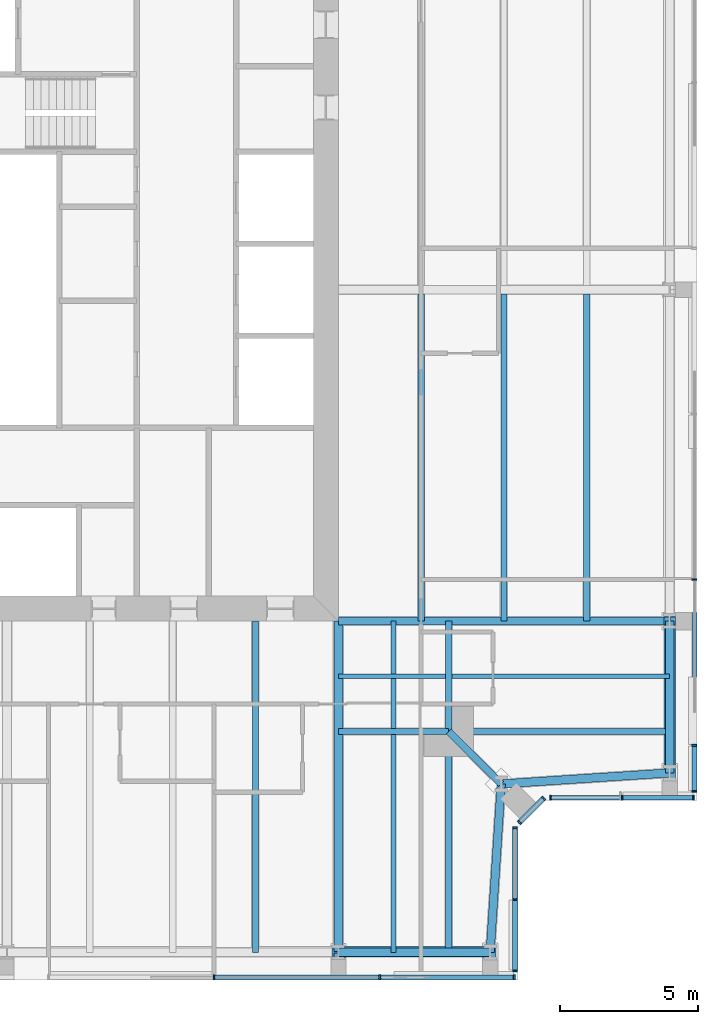
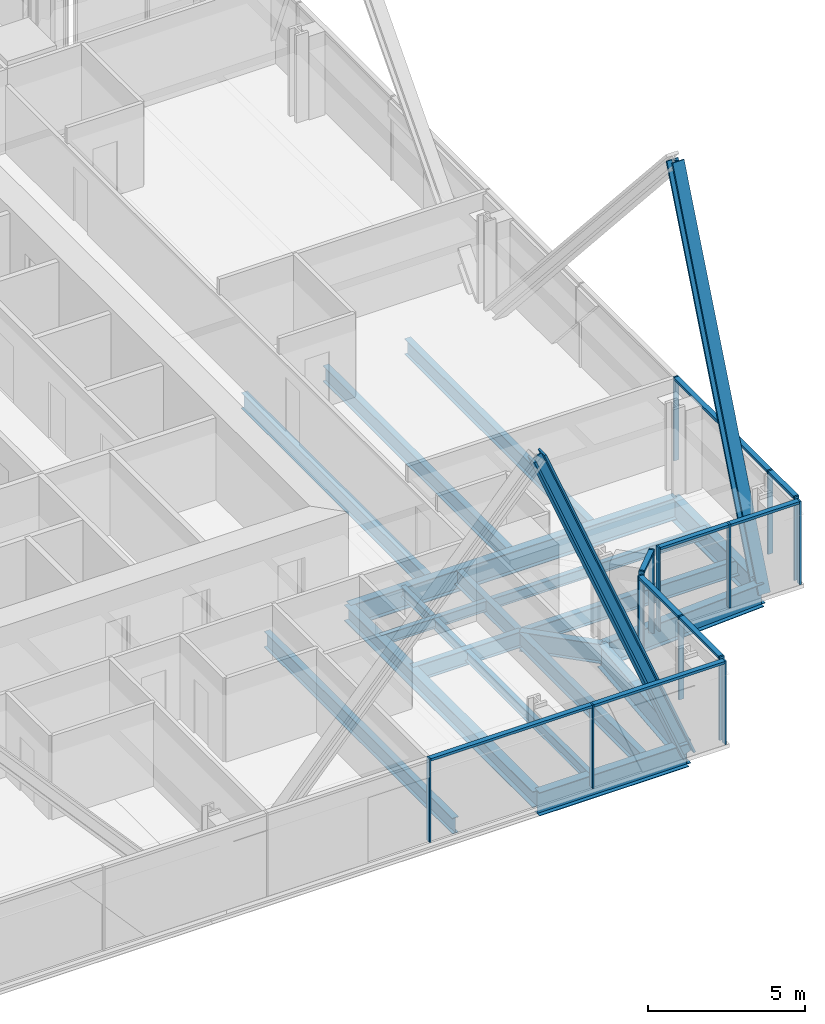
# One storey, part 5 of 19: 25 members, 20 beams, 5 elements without a shape of their own.
"""IFC4 building model written with IfcOpenShell, lengths in metres."""

from ifc_helpers import new_model, si_unit, direction, frame, origin, origin_2d, place, context, subcontext, project, spatial, rectangle, i_section, extrude, material, material_profile, profile_set, type_object, element, aggregate, save


model = new_model("IFC4")

# Units and contexts
model_context = context("Model", 3, precision=1e-05, world=origin(), true_north=direction((0.0, 1.0)))
body_context = subcontext(model_context, "Body", "Model", "MODEL_VIEW")
ifc_project = project(units=[si_unit("LENGTHUNIT", "METRE"), si_unit("AREAUNIT", "SQUARE_METRE"), si_unit("VOLUMEUNIT", "CUBIC_METRE"), si_unit("PLANEANGLEUNIT", "RADIAN"), si_unit("MASSUNIT", "GRAM", prefix="KILO")], contexts=[model_context])

# Site, building, storey
site_placement = place(None, origin())
site = spatial("IfcSite", under=ifc_project, at=site_placement, CompositionType="ELEMENT")
building_placement = place(site_placement, origin())
building = spatial("IfcBuilding", under=site, at=building_placement, Name="Fenwick Lantern Interchange", CompositionType="ELEMENT")
storey_placement = place(building_placement, frame((0.0, 0.0, 283.199951171875)))
storey = spatial("IfcBuildingStorey", under=building, at=storey_placement, Name="L68", CompositionType="ELEMENT", Elevation=283.199951171875)

# Beams
ifc_material_1 = material(Name="Steel ASTM A992 Grade 50", Category="steel")
ifc_material_profile_1 = material_profile(ifc_material_1, i_section(OverallWidth=0.3046875, OverallDepth=0.911865234375, WebThickness=0.015869140625, FlangeThickness=0.02392578125, at=origin_2d()), Name="W36X150")
ifc_profile_set_1 = profile_set([ifc_material_profile_1], Name="Steel ASTM A992 Grade 50")
beam_type_1 = type_object("IfcBeamType", Name="EDGE BEAM W36X150", PredefinedType="SPANDREL", material=ifc_profile_set_1)
beam_1_placement = place(storey_placement, frame((37.0, 1.0, -0.60595703125), z_axis=(1.0, 0.0, 0.0), x_axis=(0.0, 1.0, 0.0)))
element("IfcBeam", 1, at=beam_1_placement, inside=storey, type_object=beam_type_1, Name="L68/FR/S/EB4", PredefinedType="SPANDREL", context=body_context, shape_type="SweptSolid", body=[
    extrude(i_section(OverallWidth=0.3046875, OverallDepth=0.911865234375, WebThickness=0.015869140625, FlangeThickness=0.02392578125, at=origin_2d()), origin(), (0.0, 0.0, 1.0), 5.5),
])
for number, where, z_axis, x_axis, name in (
    (2, (42.5, 1.0, -0.60595703125), (0.065416293237, 0.997858060337, 0.0), (-0.997858060337, 0.065416293237, 0.0), "L68/FR/S/EBR1"),
    (3, (42.89990234375, 7.10009765625, -0.60595703125), (0.997858060337, 0.065416293237, 0.0), (-0.065416293237, 0.997858060337, 0.0), "L68/FR/S/EBR2"),
):
    element("IfcBeam", number, at=place(storey_placement, frame(where, z_axis=z_axis, x_axis=x_axis)), inside=storey, type_object=beam_type_1, Name=name, PredefinedType="SPANDREL", context=body_context, shape_type="SweptSolid", body=[
        extrude(i_section(OverallWidth=0.3046875, OverallDepth=0.911865234375, WebThickness=0.015869140625, FlangeThickness=0.02392578125, at=origin_2d()), origin(), (0.0, 0.0, 1.0), 6.11328125),
    ])
beam_2_placement = place(storey_placement, frame((49.0, 7.5, -0.60595703125), z_axis=(0.0, 1.0, 0.0), x_axis=(-1.0, 0.0, 0.0)))
element("IfcBeam", 4, at=beam_2_placement, inside=storey, type_object=beam_type_1, Name="L68/FR/E/EB1", PredefinedType="SPANDREL", context=body_context, shape_type="SweptSolid", body=[
    extrude(i_section(OverallWidth=0.3046875, OverallDepth=0.911865234375, WebThickness=0.015869140625, FlangeThickness=0.02392578125, at=origin_2d()), origin(), (0.0, 0.0, 1.0), 5.5),
])

# Members
ifc_material_profile_2 = material_profile(ifc_material_1, i_section(OverallWidth=0.424072265625, OverallDepth=0.47509765625, WebThickness=0.0478515625, FlangeThickness=0.0771484375, at=origin_2d()), Name="W14X426")
ifc_profile_set_2 = profile_set([ifc_material_profile_2], Name="Steel ASTM A992 Grade 50")
member_type_1 = type_object("IfcMemberType", Name="FACADE BRACE W14X426", PredefinedType="BRACE", material=ifc_profile_set_2)
for number, where, z_axis, x_axis, name in (
    (5, (42.5, 1.0, -0.60595703125), (-0.377648302155, 0.0, 0.925949113008), (0.0, -1.0, 0.0), "L68/FB/S/BE"),
    (6, (49.0, 7.5, -0.60595703125), (0.0, 0.377648302155, 0.925949113008), (-1.0, 0.0, 0.0), "L68/FB/E/AE"),
):
    element("IfcMember", number, at=place(storey_placement, frame(where, z_axis=z_axis, x_axis=x_axis)), inside=storey, type_object=member_type_1, Name=name, PredefinedType="BRACE", context=body_context, shape_type="SweptSolid", body=[
        extrude(i_section(OverallWidth=0.424072265625, OverallDepth=0.47509765625, WebThickness=0.0478515625, FlangeThickness=0.0771484375, at=origin_2d()), origin(), (0.0, 0.0, 1.0), 14.563720703125),
    ])

# Beams
ifc_material_profile_3 = material_profile(ifc_material_1, i_section(OverallWidth=0.22900390625, OverallDepth=0.612060546875, WebThickness=0.011962890625, FlangeThickness=0.01953125, at=origin_2d()), Name="W24X84")
ifc_profile_set_3 = profile_set([ifc_material_profile_3], Name="Steel ASTM A992 Grade 50")
beam_type_2 = type_object("IfcBeamType", Name="FLOOR BEAM W24X84", PredefinedType="BEAM", material=ifc_profile_set_3)
beam_3_placement = place(storey_placement, frame((34.0, 1.0, -0.4560546875), z_axis=(0.0, 1.0, 0.0), x_axis=(-1.0, 0.0, 0.0)))
element("IfcBeam", 7, at=beam_3_placement, inside=storey, type_object=beam_type_2, Name="L68/FR/S/R08", PredefinedType="BEAM", context=body_context, shape_type="SweptSolid", body=[
    extrude(i_section(OverallWidth=0.22900390625, OverallDepth=0.612060546875, WebThickness=0.011962890625, FlangeThickness=0.01953125, at=origin_2d()), origin(), (0.0, 0.0, 1.0), 12.0),
])
for number, where, z_axis, x_axis, name in (
    (8, (46.0, 13.0, -0.4560546875), (0.0, 1.0, 0.0), (-1.0, 0.0, 0.0), "L68/FR/E/B01"),
    (9, (43.0, 13.0, -0.4560546875), (0.0, 1.0, 0.0), (-1.0, 0.0, 0.0), "L68/FR/E/B02"),
    (10, (40.0, 13.0, -0.4560546875), (0.0, 1.0, 0.0), (-1.0, 0.0, 0.0), "L68/FR/E/B03"),
):
    element("IfcBeam", number, at=place(storey_placement, frame(where, z_axis=z_axis, x_axis=x_axis)), inside=storey, type_object=beam_type_2, Name=name, PredefinedType="BEAM", context=body_context, shape_type="SweptSolid", body=[
        extrude(i_section(OverallWidth=0.22900390625, OverallDepth=0.612060546875, WebThickness=0.011962890625, FlangeThickness=0.01953125, at=origin_2d()), origin(), (0.0, 0.0, 1.0), 11.844970703125),
    ])

# Curtain wall, members
ifc_material_2 = material(Name="Aluminium curtain wall frame", Category="aluminium")
curtain_wall_type = type_object("IfcCurtainWallType", Name="HOTEL CURTAIN WALL", PredefinedType="USERDEFINED", material=ifc_material_2)
curtain_wall_1_placement = place(storey_placement, origin())
curtain_wall_1 = element("IfcCurtainWall", 11, at=curtain_wall_1_placement, inside=storey, type_object=curtain_wall_type, Name="Hotel curtain wall 01", ObjectType="HOTEL CURTAIN WALL", PredefinedType="USERDEFINED")
ifc_material_3 = material(Name="Aluminium extrusion", Category="aluminium")
ifc_material_profile_4 = material_profile(ifc_material_3, rectangle(XDim=0.179931640625, YDim=0.06005859375, at=origin_2d()), Name="HOTEL CURTAIN WALL MULLION 60 X 180")
ifc_profile_set_4 = profile_set([ifc_material_profile_4], Name="Aluminium extrusion")
member_type_2 = type_object("IfcMemberType", Name="HOTEL CURTAIN WALL MULLION 60 X 180", PredefinedType="MULLION", material=ifc_profile_set_4)
member_1_placement = place(storey_placement, frame((32.5, 0.10009765625, 0.0), z_axis=(0.0, 0.0, 1.0), x_axis=(0.0, 1.0, 0.0)))
member_1 = element("IfcMember", 12, at=member_1_placement, type_object=member_type_2, Name="L68/CW/01/M05", PredefinedType="MULLION", context=body_context, shape_type="SweptSolid", body=[
    extrude(rectangle(XDim=0.179931640625, YDim=0.06005859375, at=origin_2d()), origin(), (0.0, 0.0, 1.0), 3.25),
])
member_2_placement = place(storey_placement, frame((38.5, 0.10009765625, 0.0), z_axis=(0.0, 0.0, 1.0), x_axis=(0.0, 1.0, 0.0)))
member_2 = element("IfcMember", 13, at=member_2_placement, type_object=member_type_2, Name="L68/CW/01/M06", PredefinedType="MULLION", context=body_context, shape_type="SweptSolid", body=[
    extrude(rectangle(XDim=0.179931640625, YDim=0.06005859375, at=origin_2d()), origin(), (0.0, 0.0, 1.0), 3.25),
])
member_3_placement = place(storey_placement, frame((43.3701171875, 0.10009765625, 0.0), z_axis=(0.0, 0.0, 1.0), x_axis=(0.0, 1.0, 0.0)))
member_3 = element("IfcMember", 14, at=member_3_placement, type_object=member_type_2, Name="L68/CW/01/M07", PredefinedType="MULLION", context=body_context, shape_type="SweptSolid", body=[
    extrude(rectangle(XDim=0.179931640625, YDim=0.06005859375, at=origin_2d()), origin(), (0.0, 0.0, 1.0), 3.25),
])

curtain_wall_2_placement = place(storey_placement, origin())
curtain_wall_2 = element("IfcCurtainWall", 15, at=curtain_wall_2_placement, inside=storey, type_object=curtain_wall_type, Name="Hotel curtain wall 02", ObjectType="HOTEL CURTAIN WALL", PredefinedType="USERDEFINED")
member_4_placement = place(storey_placement, frame((43.39990234375, 0.330078125, 0.0), z_axis=(0.0, 0.0, 1.0), x_axis=(-1.0, 0.0, 0.0)))
member_4 = element("IfcMember", 16, at=member_4_placement, type_object=member_type_2, Name="L68/CW/02/M00", PredefinedType="MULLION", context=body_context, shape_type="SweptSolid", body=[
    extrude(rectangle(XDim=0.179931640625, YDim=0.06005859375, at=origin_2d()), origin(), (0.0, 0.0, 1.0), 3.25),
])
member_5_placement = place(storey_placement, frame((43.39990234375, 2.920654296875, 0.0), z_axis=(0.0, 0.0, 1.0), x_axis=(-1.0, 0.0, 0.0)))
member_5 = element("IfcMember", 17, at=member_5_placement, type_object=member_type_2, Name="L68/CW/02/M01", PredefinedType="MULLION", context=body_context, shape_type="SweptSolid", body=[
    extrude(rectangle(XDim=0.179931640625, YDim=0.06005859375, at=origin_2d()), origin(), (0.0, 0.0, 1.0), 3.25),
])
member_6_placement = place(storey_placement, frame((43.39990234375, 5.511474609375, 0.0), z_axis=(0.0, 0.0, 1.0), x_axis=(-1.0, 0.0, 0.0)))
member_6 = element("IfcMember", 18, at=member_6_placement, type_object=member_type_2, Name="L68/CW/02/M02", PredefinedType="MULLION", context=body_context, shape_type="SweptSolid", body=[
    extrude(rectangle(XDim=0.179931640625, YDim=0.06005859375, at=origin_2d()), origin(), (0.0, 0.0, 1.0), 3.25),
])

curtain_wall_3_placement = place(storey_placement, origin())
curtain_wall_3 = element("IfcCurtainWall", 19, at=curtain_wall_3_placement, inside=storey, type_object=curtain_wall_type, Name="Hotel curtain wall 03", ObjectType="HOTEL CURTAIN WALL", PredefinedType="USERDEFINED")
member_7_placement = place(storey_placement, frame((43.562744140625, 5.7041015625, 0.0), z_axis=(0.0, 0.0, 1.0), x_axis=(-0.707106781187, 0.707106781187, 0.0)))
member_7 = element("IfcMember", 20, at=member_7_placement, type_object=member_type_2, Name="L68/CW/03/M00", PredefinedType="MULLION", context=body_context, shape_type="SweptSolid", body=[
    extrude(rectangle(XDim=0.179931640625, YDim=0.06005859375, at=origin_2d()), origin(), (0.0, 0.0, 1.0), 3.25),
])
member_8_placement = place(storey_placement, frame((44.437255859375, 6.578857421875, 0.0), z_axis=(0.0, 0.0, 1.0), x_axis=(-0.707106781187, 0.707106781187, 0.0)))
member_8 = element("IfcMember", 21, at=member_8_placement, type_object=member_type_2, Name="L68/CW/03/M01", PredefinedType="MULLION", context=body_context, shape_type="SweptSolid", body=[
    extrude(rectangle(XDim=0.179931640625, YDim=0.06005859375, at=origin_2d()), origin(), (0.0, 0.0, 1.0), 3.25),
])

curtain_wall_4_placement = place(storey_placement, origin())
curtain_wall_4 = element("IfcCurtainWall", 22, at=curtain_wall_4_placement, inside=storey, type_object=curtain_wall_type, Name="Hotel curtain wall 04", ObjectType="HOTEL CURTAIN WALL", PredefinedType="USERDEFINED")
member_9_placement = place(storey_placement, frame((44.6884765625, 6.60009765625, 0.0), z_axis=(0.0, 0.0, 1.0), x_axis=(0.0, 1.0, 0.0)))
member_9 = element("IfcMember", 23, at=member_9_placement, type_object=member_type_2, Name="L68/CW/04/M00", PredefinedType="MULLION", context=body_context, shape_type="SweptSolid", body=[
    extrude(rectangle(XDim=0.179931640625, YDim=0.06005859375, at=origin_2d()), origin(), (0.0, 0.0, 1.0), 3.25),
])
member_10_placement = place(storey_placement, frame((47.279296875, 6.60009765625, 0.0), z_axis=(0.0, 0.0, 1.0), x_axis=(0.0, 1.0, 0.0)))
member_10 = element("IfcMember", 24, at=member_10_placement, type_object=member_type_2, Name="L68/CW/04/M01", PredefinedType="MULLION", context=body_context, shape_type="SweptSolid", body=[
    extrude(rectangle(XDim=0.179931640625, YDim=0.06005859375, at=origin_2d()), origin(), (0.0, 0.0, 1.0), 3.25),
])
member_11_placement = place(storey_placement, frame((49.8701171875, 6.60009765625, 0.0), z_axis=(0.0, 0.0, 1.0), x_axis=(0.0, 1.0, 0.0)))
member_11 = element("IfcMember", 25, at=member_11_placement, type_object=member_type_2, Name="L68/CW/04/M02", PredefinedType="MULLION", context=body_context, shape_type="SweptSolid", body=[
    extrude(rectangle(XDim=0.179931640625, YDim=0.06005859375, at=origin_2d()), origin(), (0.0, 0.0, 1.0), 3.25),
])

curtain_wall_5_placement = place(storey_placement, origin())
curtain_wall_5 = element("IfcCurtainWall", 26, at=curtain_wall_5_placement, inside=storey, type_object=curtain_wall_type, Name="Hotel curtain wall 05", ObjectType="HOTEL CURTAIN WALL", PredefinedType="USERDEFINED")
member_12_placement = place(storey_placement, frame((49.89990234375, 6.830078125, 0.0), z_axis=(0.0, 0.0, 1.0), x_axis=(-1.0, 0.0, 0.0)))
member_12 = element("IfcMember", 27, at=member_12_placement, type_object=member_type_2, Name="L68/CW/05/M00", PredefinedType="MULLION", context=body_context, shape_type="SweptSolid", body=[
    extrude(rectangle(XDim=0.179931640625, YDim=0.06005859375, at=origin_2d()), origin(), (0.0, 0.0, 1.0), 3.25),
])
member_13_placement = place(storey_placement, frame((49.89990234375, 8.5, 0.0), z_axis=(0.0, 0.0, 1.0), x_axis=(-1.0, 0.0, 0.0)))
member_13 = element("IfcMember", 28, at=member_13_placement, type_object=member_type_2, Name="L68/CW/05/M01", PredefinedType="MULLION", context=body_context, shape_type="SweptSolid", body=[
    extrude(rectangle(XDim=0.179931640625, YDim=0.06005859375, at=origin_2d()), origin(), (0.0, 0.0, 1.0), 3.25),
])
member_14_placement = place(storey_placement, frame((49.89990234375, 14.5, 0.0), z_axis=(0.0, 0.0, 1.0), x_axis=(-1.0, 0.0, 0.0)))
member_14 = element("IfcMember", 29, at=member_14_placement, type_object=member_type_2, Name="L68/CW/05/M02", PredefinedType="MULLION", context=body_context, shape_type="SweptSolid", body=[
    extrude(rectangle(XDim=0.179931640625, YDim=0.06005859375, at=origin_2d()), origin(), (0.0, 0.0, 1.0), 3.25),
])

# Member
ifc_material_profile_5 = material_profile(ifc_material_3, rectangle(XDim=0.179931640625, YDim=0.10009765625, at=origin_2d()), Name="HOTEL CURTAIN WALL TRANSOM 100 X 180")
ifc_profile_set_5 = profile_set([ifc_material_profile_5], Name="Aluminium extrusion")
member_type_3 = type_object("IfcMemberType", Name="HOTEL CURTAIN WALL TRANSOM 100 X 180", PredefinedType="MULLION", material=ifc_profile_set_5)
member_15_placement = place(storey_placement, frame((32.530029296875, 0.10009765625, 3.199951171875), z_axis=(1.0, 0.0, 0.0), x_axis=(0.0, 1.0, 0.0)))
member_15 = element("IfcMember", 30, at=member_15_placement, type_object=member_type_3, Name="L68/CW/01/T05", PredefinedType="MULLION", context=body_context, shape_type="SweptSolid", body=[
    extrude(rectangle(XDim=0.179931640625, YDim=0.10009765625, at=origin_2d()), origin(), (0.0, 0.0, 1.0), 5.93994140625),
])

member_16_placement = place(storey_placement, frame((38.530029296875, 0.10009765625, 3.199951171875), z_axis=(1.0, 0.0, 0.0), x_axis=(0.0, 1.0, 0.0)))
member_16 = element("IfcMember", 31, at=member_16_placement, type_object=member_type_3, Name="L68/CW/01/T06", PredefinedType="MULLION", context=body_context, shape_type="SweptSolid", body=[
    extrude(rectangle(XDim=0.179931640625, YDim=0.10009765625, at=origin_2d()), origin(), (0.0, 0.0, 1.0), 4.81005859375),
])

aggregate(curtain_wall_1, [member_1, member_2, member_3, member_15, member_16])

member_17_placement = place(storey_placement, frame((43.39990234375, 0.360107421875, 3.199951171875), z_axis=(0.0, 1.0, 0.0), x_axis=(-1.0, 0.0, 0.0)))
member_17 = element("IfcMember", 32, at=member_17_placement, type_object=member_type_3, Name="L68/CW/02/T00", PredefinedType="MULLION", context=body_context, shape_type="SweptSolid", body=[
    extrude(rectangle(XDim=0.179931640625, YDim=0.10009765625, at=origin_2d()), origin(), (0.0, 0.0, 1.0), 2.530517578125),
])

member_18_placement = place(storey_placement, frame((43.39990234375, 2.95068359375, 3.199951171875), z_axis=(0.0, 1.0, 0.0), x_axis=(-1.0, 0.0, 0.0)))
member_18 = element("IfcMember", 33, at=member_18_placement, type_object=member_type_3, Name="L68/CW/02/T01", PredefinedType="MULLION", context=body_context, shape_type="SweptSolid", body=[
    extrude(rectangle(XDim=0.179931640625, YDim=0.10009765625, at=origin_2d()), origin(), (0.0, 0.0, 1.0), 2.53076171875),
])

aggregate(curtain_wall_2, [member_4, member_5, member_6, member_17, member_18])

member_19_placement = place(storey_placement, frame((43.583740234375, 5.725341796875, 3.199951171875), z_axis=(0.707210470133, 0.707003077033, 0.0), x_axis=(-0.707003077033, 0.707210470133, 0.0)))
member_19 = element("IfcMember", 34, at=member_19_placement, type_object=member_type_3, Name="L68/CW/03/T00", PredefinedType="MULLION", context=body_context, shape_type="SweptSolid", body=[
    extrude(rectangle(XDim=0.179931640625, YDim=0.10009765625, at=origin_2d()), origin(), (0.0, 0.0, 1.0), 1.17724609375),
])

aggregate(curtain_wall_3, [member_7, member_8, member_19])

member_20_placement = place(storey_placement, frame((44.718505859375, 6.60009765625, 3.199951171875), z_axis=(1.0, 0.0, 0.0), x_axis=(0.0, 1.0, 0.0)))
member_20 = element("IfcMember", 35, at=member_20_placement, type_object=member_type_3, Name="L68/CW/04/T00", PredefinedType="MULLION", context=body_context, shape_type="SweptSolid", body=[
    extrude(rectangle(XDim=0.179931640625, YDim=0.10009765625, at=origin_2d()), origin(), (0.0, 0.0, 1.0), 2.53076171875),
])

member_21_placement = place(storey_placement, frame((47.309326171875, 6.60009765625, 3.199951171875), z_axis=(1.0, 0.0, 0.0), x_axis=(0.0, 1.0, 0.0)))
member_21 = element("IfcMember", 36, at=member_21_placement, type_object=member_type_3, Name="L68/CW/04/T01", PredefinedType="MULLION", context=body_context, shape_type="SweptSolid", body=[
    extrude(rectangle(XDim=0.179931640625, YDim=0.10009765625, at=origin_2d()), origin(), (0.0, 0.0, 1.0), 2.53076171875),
])

aggregate(curtain_wall_4, [member_9, member_10, member_11, member_20, member_21])

member_22_placement = place(storey_placement, frame((49.89990234375, 6.860107421875, 3.199951171875), z_axis=(0.0, 1.0, 0.0), x_axis=(-1.0, 0.0, 0.0)))
member_22 = element("IfcMember", 37, at=member_22_placement, type_object=member_type_3, Name="L68/CW/05/T00", PredefinedType="MULLION", context=body_context, shape_type="SweptSolid", body=[
    extrude(rectangle(XDim=0.179931640625, YDim=0.10009765625, at=origin_2d()), origin(), (0.0, 0.0, 1.0), 1.60986328125),
])

member_23_placement = place(storey_placement, frame((49.89990234375, 8.530029296875, 3.199951171875), z_axis=(0.0, 1.0, 0.0), x_axis=(-1.0, 0.0, 0.0)))
member_23 = element("IfcMember", 38, at=member_23_placement, type_object=member_type_3, Name="L68/CW/05/T01", PredefinedType="MULLION", context=body_context, shape_type="SweptSolid", body=[
    extrude(rectangle(XDim=0.179931640625, YDim=0.10009765625, at=origin_2d()), origin(), (0.0, 0.0, 1.0), 5.93994140625),
])

aggregate(curtain_wall_5, [member_12, member_13, member_14, member_22, member_23])

# Beams
ifc_material_profile_6 = material_profile(ifc_material_1, i_section(OverallWidth=0.177734375, OverallDepth=0.406494140625, WebThickness=0.0078125, FlangeThickness=0.012939453125, at=origin_2d()), Name="W16X40")
ifc_profile_set_6 = profile_set([ifc_material_profile_6], Name="Steel ASTM A992 Grade 50")
beam_type_3 = type_object("IfcBeamType", Name="INFILL BEAM W16X40", PredefinedType="JOIST", material=ifc_profile_set_6)
beam_4_placement = place(storey_placement, frame((49.0, 11.0, -0.353271484375), z_axis=(-1.0, 0.0, 0.0), x_axis=(0.0, -1.0, 0.0)))
element("IfcBeam", 39, at=beam_4_placement, inside=storey, type_object=beam_type_3, Name="L68/FR/E/J1", PredefinedType="JOIST", context=body_context, shape_type="SweptSolid", body=[
    extrude(i_section(OverallWidth=0.177734375, OverallDepth=0.406494140625, WebThickness=0.0078125, FlangeThickness=0.012939453125, at=origin_2d()), origin(), (0.0, 0.0, 1.0), 7.885498046875),
])
beam_5_placement = place(storey_placement, frame((40.885498046875, 11.0, -0.353271484375), z_axis=(-1.0, 0.0, 0.0), x_axis=(0.0, -1.0, 0.0)))
element("IfcBeam", 40, at=beam_5_placement, inside=storey, type_object=beam_type_3, Name="L68/FR/E/J2", PredefinedType="JOIST", context=body_context, shape_type="SweptSolid", body=[
    extrude(i_section(OverallWidth=0.177734375, OverallDepth=0.406494140625, WebThickness=0.0078125, FlangeThickness=0.012939453125, at=origin_2d()), origin(), (0.0, 0.0, 1.0), 3.885498046875),
])
beam_6_placement = place(storey_placement, frame((39.0, 1.0, -0.353271484375), z_axis=(0.0, 1.0, 0.0), x_axis=(-1.0, 0.0, 0.0)))
element("IfcBeam", 41, at=beam_6_placement, inside=storey, type_object=beam_type_3, Name="L68/FR/E/J3", PredefinedType="JOIST", context=body_context, shape_type="SweptSolid", body=[
    extrude(i_section(OverallWidth=0.177734375, OverallDepth=0.406494140625, WebThickness=0.0078125, FlangeThickness=0.012939453125, at=origin_2d()), origin(), (0.0, 0.0, 1.0), 7.885498046875),
])
beam_7_placement = place(storey_placement, frame((39.0, 9.114501953125, -0.353271484375), z_axis=(0.0, 1.0, 0.0), x_axis=(-1.0, 0.0, 0.0)))
element("IfcBeam", 42, at=beam_7_placement, inside=storey, type_object=beam_type_3, Name="L68/FR/E/J4", PredefinedType="JOIST", context=body_context, shape_type="SweptSolid", body=[
    extrude(i_section(OverallWidth=0.177734375, OverallDepth=0.406494140625, WebThickness=0.0078125, FlangeThickness=0.012939453125, at=origin_2d()), origin(), (0.0, 0.0, 1.0), 1.796630859375),
])
beam_8_placement = place(storey_placement, frame((39.0, 11.0888671875, -0.353271484375), z_axis=(0.0, 1.0, 0.0), x_axis=(-1.0, 0.0, 0.0)))
element("IfcBeam", 43, at=beam_8_placement, inside=storey, type_object=beam_type_3, Name="L68/FR/E/J5", PredefinedType="JOIST", context=body_context, shape_type="SweptSolid", body=[
    extrude(i_section(OverallWidth=0.177734375, OverallDepth=0.406494140625, WebThickness=0.0078125, FlangeThickness=0.012939453125, at=origin_2d()), origin(), (0.0, 0.0, 1.0), 1.9111328125),
])
ifc_material_profile_7 = material_profile(ifc_material_1, i_section(OverallWidth=0.22900390625, OverallDepth=0.612060546875, WebThickness=0.011962890625, FlangeThickness=0.01953125, at=origin_2d()), Name="W24X84")
ifc_profile_set_7 = profile_set([ifc_material_profile_7], Name="Steel ASTM A992 Grade 50")
beam_type_4 = type_object("IfcBeamType", Name="MEGA COLUMN BEAM W24X84", PredefinedType="BEAM", material=ifc_profile_set_7)
for number, where, z_axis, x_axis, name in (
    (44, (41.0, 9.0, -0.4560546875), (1.0, 0.0, 0.0), (0.0, 1.0, 0.0), "L68/FR/E/MB1"),
    (45, (41.0, 9.0, -0.4560546875), (0.0, -1.0, 0.0), (1.0, 0.0, 0.0), "L68/FR/E/MB2"),
):
    element("IfcBeam", number, at=place(storey_placement, frame(where, z_axis=z_axis, x_axis=x_axis)), inside=storey, type_object=beam_type_4, Name=name, PredefinedType="BEAM", context=body_context, shape_type="SweptSolid", body=[
        extrude(i_section(OverallWidth=0.22900390625, OverallDepth=0.612060546875, WebThickness=0.011962890625, FlangeThickness=0.01953125, at=origin_2d()), origin(), (0.0, 0.0, 1.0), 8.0),
    ])
for number, where, z_axis, x_axis, name in (
    (46, (41.0, 9.0, -0.4560546875), (0.0, 1.0, 0.0), (-1.0, 0.0, 0.0), "L68/FR/E/MB3"),
    (47, (41.0, 9.0, -0.4560546875), (-1.0, 0.0, 0.0), (0.0, -1.0, 0.0), "L68/FR/E/MB4"),
):
    element("IfcBeam", number, at=place(storey_placement, frame(where, z_axis=z_axis, x_axis=x_axis)), inside=storey, type_object=beam_type_4, Name=name, PredefinedType="BEAM", context=body_context, shape_type="SweptSolid", body=[
        extrude(i_section(OverallWidth=0.22900390625, OverallDepth=0.612060546875, WebThickness=0.011962890625, FlangeThickness=0.01953125, at=origin_2d()), origin(), (0.0, 0.0, 1.0), 4.0),
    ])
ifc_material_profile_8 = material_profile(ifc_material_1, i_section(OverallWidth=0.32763671875, OverallDepth=0.622314453125, WebThickness=0.015380859375, FlangeThickness=0.0244140625, at=origin_2d()), Name="W24X131")
ifc_profile_set_8 = profile_set([ifc_material_profile_8], Name="Steel ASTM A992 Grade 50")
beam_type_5 = type_object("IfcBeamType", Name="MOMENT-CONNECTED GIRDER W24X131", PredefinedType="BEAM", material=ifc_profile_set_8)
beam_9_placement = place(storey_placement, frame((37.0, 1.0, -0.461181640625), z_axis=(0.0, 1.0, 0.0), x_axis=(-1.0, 0.0, 0.0)))
element("IfcBeam", 48, at=beam_9_placement, inside=storey, type_object=beam_type_5, Name="L68/FR/S/R09", PredefinedType="BEAM", context=body_context, shape_type="SweptSolid", body=[
    extrude(i_section(OverallWidth=0.32763671875, OverallDepth=0.622314453125, WebThickness=0.015380859375, FlangeThickness=0.0244140625, at=origin_2d()), origin(), (0.0, 0.0, 1.0), 12.0),
])
ifc_material_profile_9 = material_profile(ifc_material_1, i_section(OverallWidth=0.2919921875, OverallDepth=0.845703125, WebThickness=0.015380859375, FlangeThickness=0.0244140625, at=origin_2d()), Name="W33X141")
ifc_profile_set_9 = profile_set([ifc_material_profile_9], Name="Steel ASTM A992 Grade 50")
beam_type_6 = type_object("IfcBeamType", Name="MOMENT-CONNECTED GIRDER W33X141", PredefinedType="BEAM", material=ifc_profile_set_9)
beam_10_placement = place(storey_placement, frame((49.0, 13.0, -0.57275390625), z_axis=(-1.0, 0.0, 0.0), x_axis=(0.0, -1.0, 0.0)))
element("IfcBeam", 49, at=beam_10_placement, inside=storey, type_object=beam_type_6, Name="L68/FR/E/R01", PredefinedType="BEAM", context=body_context, shape_type="SweptSolid", body=[
    extrude(i_section(OverallWidth=0.2919921875, OverallDepth=0.845703125, WebThickness=0.015380859375, FlangeThickness=0.0244140625, at=origin_2d()), origin(), (0.0, 0.0, 1.0), 12.0),
])
ifc_material_profile_10 = material_profile(ifc_material_1, i_section(OverallWidth=0.2666015625, OverallDepth=0.7568359375, WebThickness=0.013916015625, FlangeThickness=0.019287109375, at=origin_2d()), Name="W30X108")
ifc_profile_set_10 = profile_set([ifc_material_profile_10], Name="Steel ASTM A992 Grade 50")
beam_type_7 = type_object("IfcBeamType", Name="NOTCH BEAM W30X108", PredefinedType="BEAM", material=ifc_profile_set_10)
beam_11_placement = place(storey_placement, frame((41.0, 9.0, -0.5283203125), z_axis=(0.707106781187, -0.707106781187, 0.0), x_axis=(0.707106781187, 0.707106781187, 0.0)))
element("IfcBeam", 50, at=beam_11_placement, inside=storey, type_object=beam_type_7, Name="L68/FR/E/TG", PredefinedType="BEAM", context=body_context, shape_type="SweptSolid", body=[
    extrude(i_section(OverallWidth=0.2666015625, OverallDepth=0.7568359375, WebThickness=0.013916015625, FlangeThickness=0.019287109375, at=origin_2d()), origin(), (0.0, 0.0, 1.0), 2.686767578125),
])

save(model, "model.ifc")
